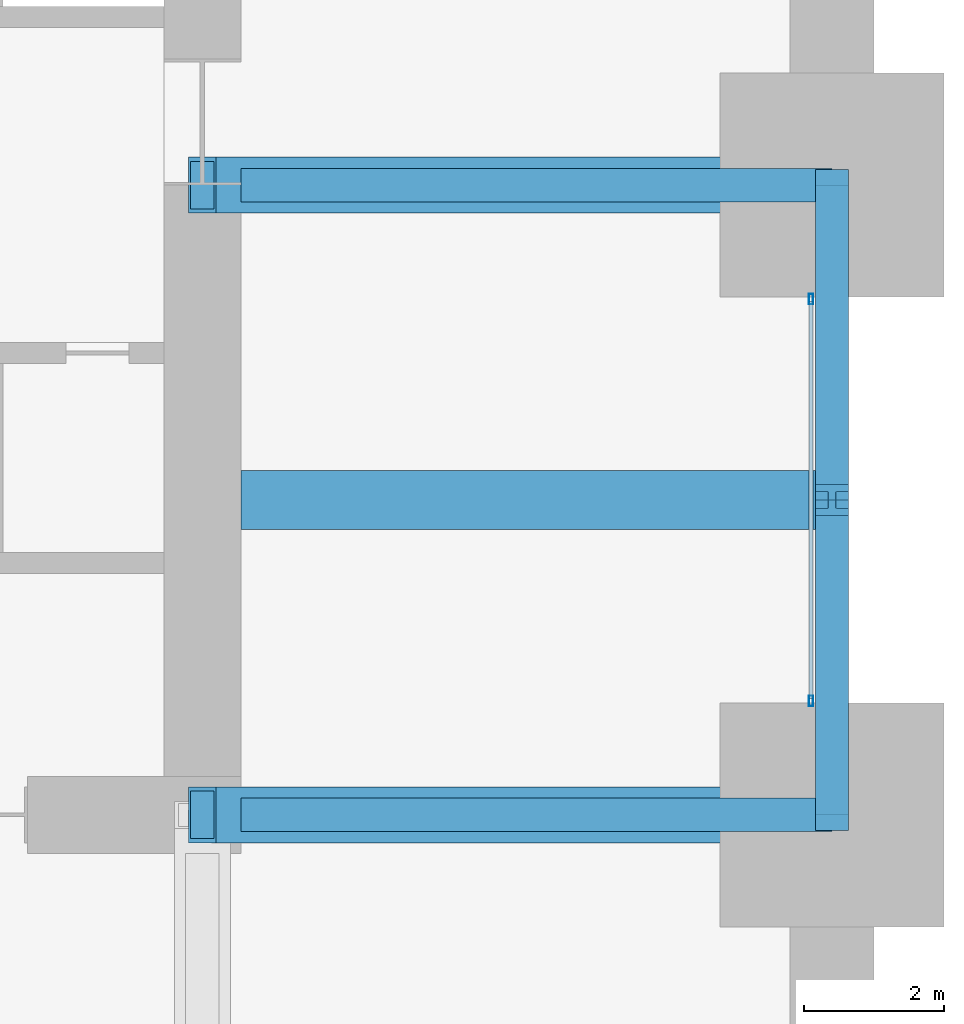
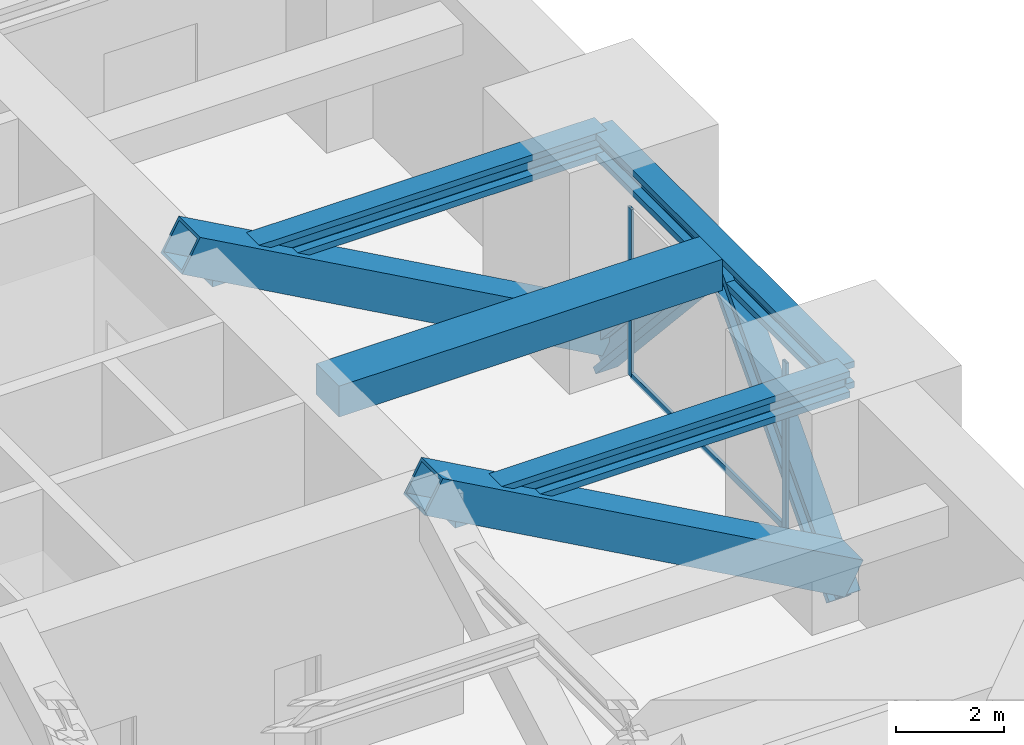
# One storey, part 14 of 32: 7 members, 4 beams, 1 element without a shape of its own.
"""IFC4 building model written with IfcOpenShell, lengths in metres."""

from ifc_helpers import new_model, si_unit, direction, frame, origin, origin_2d, place, context, subcontext, project, spatial, rectangle, hollow_rectangle, i_section, extrude, material, material_profile, profile_set, type_object, element, aggregate, save


model = new_model("IFC4")

# Units and contexts
model_context = context("Model", 3, precision=1e-05, world=origin(), true_north=direction((0.0, 1.0)))
body_context = subcontext(model_context, "Body", "Model", "MODEL_VIEW")
ifc_project = project(units=[si_unit("LENGTHUNIT", "METRE"), si_unit("AREAUNIT", "SQUARE_METRE"), si_unit("VOLUMEUNIT", "CUBIC_METRE"), si_unit("PLANEANGLEUNIT", "RADIAN"), si_unit("MASSUNIT", "GRAM", prefix="KILO")], contexts=[model_context])

# Site, building, storey
site_placement = place(None, origin())
site = spatial("IfcSite", under=ifc_project, at=site_placement, CompositionType="ELEMENT")
building_placement = place(site_placement, origin())
building = spatial("IfcBuilding", under=site, at=building_placement, Name="Zorevar Civic Tower", CompositionType="ELEMENT")
storey_placement = place(building_placement, frame((0.0, 0.0, 234.39990234375)))
storey = spatial("IfcBuildingStorey", under=building, at=storey_placement, Name="L57", CompositionType="ELEMENT", Elevation=234.39990234375)

# Beams
ifc_material_1 = material(Name="Concrete C50/60", Category="concrete")
ifc_material_profile_1 = material_profile(ifc_material_1, rectangle(XDim=0.85009765625, YDim=0.699951171875, at=origin_2d()), Name="RC 850x700")
ifc_profile_set_1 = profile_set([ifc_material_profile_1], Name="Concrete C50/60")
beam_type_1 = type_object("IfcBeamType", Name="Beam RC 850x700", PredefinedType="BEAM", material=ifc_profile_set_1)
beam_1_placement = place(storey_placement, frame((45.550048828125, 22.5, 4.25), z_axis=(1.0, 0.0, 0.0), x_axis=(0.0, 1.0, 0.0)))
element("IfcBeam", 1, at=beam_1_placement, inside=storey, type_object=beam_type_1, Name="Secondary beam L58", PredefinedType="BEAM", context=body_context, shape_type="SweptSolid", body=[
    extrude(rectangle(XDim=0.85009765625, YDim=0.699951171875, at=origin_2d()), origin(), (0.0, 0.0, 1.0), 8.2119140625),
])
ifc_material_2 = material(Name="Steel S460M (HISTAR 460)", Category="steel")
ifc_material_profile_2 = material_profile(ifc_material_2, i_section(OverallWidth=0.47607421875, OverallDepth=0.60009765625, WebThickness=0.10009765625, FlangeThickness=0.139892578125, FilletRadius=0.014892578125, at=origin_2d()), Name="HD 400x1299")
ifc_profile_set_2 = profile_set([ifc_material_profile_2], Name="Steel S460M (HISTAR 460)")
beam_type_2 = type_object("IfcBeamType", Name="Belt chord HD 400x1299", PredefinedType="BEAM", material=ifc_profile_set_2)
beam_2_placement = place(storey_placement, frame((54.0, 18.0, 4.300048828125), z_axis=(0.0, 1.0, 0.0), x_axis=(-1.0, 0.0, 0.0)))
element("IfcBeam", 2, at=beam_2_placement, inside=storey, type_object=beam_type_2, Name="Belt chord L58", PredefinedType="BEAM", context=body_context, shape_type="SweptSolid", body=[
    extrude(i_section(OverallWidth=0.47607421875, OverallDepth=0.60009765625, WebThickness=0.10009765625, FlangeThickness=0.139892578125, FilletRadius=0.014892578125, at=origin_2d()), origin(), (0.0, 0.0, 1.0), 9.0),
])

# Members
ifc_material_3 = material(Name="Steel S460M (HISTAR 460)", Category="steel")
ifc_material_profile_3 = material_profile(ifc_material_3, i_section(OverallWidth=0.47607421875, OverallDepth=0.60009765625, WebThickness=0.10009765625, FlangeThickness=0.139892578125, FilletRadius=0.014892578125, at=origin_2d()), Name="HD 400x1299")
ifc_profile_set_3 = profile_set([ifc_material_profile_3], Name="Steel S460M (HISTAR 460)")
member_type_1 = type_object("IfcMemberType", Name="Belt strut HD 400x1299", PredefinedType="BRACE", material=ifc_profile_set_3)
for number, where, z_axis, x_axis, name in (
    (3, (54.0, 18.0, -0.64990234375), (0.0, 0.672676426978, 0.739936770669), (-1.0, 0.0, 0.0), "Belt strut E L57"),
    (4, (54.0, 27.0, -0.64990234375), (0.0, -0.672676426978, 0.739936770669), (1.0, 0.0, 0.0), "Belt strut E L57"),
):
    element("IfcMember", number, at=place(storey_placement, frame(where, z_axis=z_axis, x_axis=x_axis)), inside=storey, type_object=member_type_1, Name=name, PredefinedType="BRACE", context=body_context, shape_type="SweptSolid", body=[
        extrude(i_section(OverallWidth=0.47607421875, OverallDepth=0.60009765625, WebThickness=0.10009765625, FlangeThickness=0.139892578125, FilletRadius=0.014892578125, at=origin_2d()), origin(), (0.0, 0.0, 1.0), 6.689697265625),
    ])

# Curtain wall, members
ifc_material_4 = material(Name="Black aluminium louvres", Category="aluminium")
curtain_wall_type = type_object("IfcCurtainWallType", Name="Louvred curtain wall CW6 refuge", PredefinedType="NOTDEFINED", material=ifc_material_4)
curtain_wall_placement = place(storey_placement, origin())
curtain_wall = element("IfcCurtainWall", 5, at=curtain_wall_placement, inside=storey, type_object=curtain_wall_type, Name="CW6 L57", PredefinedType="NOTDEFINED")
ifc_material_5 = material(Name="Aluminium, black anodised", Category="aluminium")
ifc_material_profile_4 = material_profile(ifc_material_5, hollow_rectangle(XDim=0.06005859375, YDim=0.14990234375, WallThickness=0.00390625, at=origin_2d()), Name="AL 150x60x4")
ifc_profile_set_4 = profile_set([ifc_material_profile_4], Name="Aluminium, black anodised")
member_type_2 = type_object("IfcMemberType", Name="CW6 mullion AL 150x60x4", PredefinedType="MULLION", material=ifc_profile_set_4)
member_1_placement = place(storey_placement, frame((53.699951171875, 19.6298828125, 0.0), z_axis=(0.0, 0.0, 1.0), x_axis=(-1.0, 0.0, 0.0)))
member_1 = element("IfcMember", 6, at=member_1_placement, type_object=member_type_2, Name="CW6 mullion 1", PredefinedType="MULLION", context=body_context, shape_type="SweptSolid", body=[
    extrude(hollow_rectangle(XDim=0.06005859375, YDim=0.14990234375, WallThickness=0.00390625, at=origin_2d()), origin(), (0.0, 0.0, 1.0), 3.800048828125),
])
member_2_placement = place(storey_placement, frame((53.699951171875, 25.3701171875, 0.0), z_axis=(0.0, 0.0, 1.0), x_axis=(-1.0, 0.0, 0.0)))
member_2 = element("IfcMember", 7, at=member_2_placement, type_object=member_type_2, Name="CW6 mullion 2", PredefinedType="MULLION", context=body_context, shape_type="SweptSolid", body=[
    extrude(hollow_rectangle(XDim=0.06005859375, YDim=0.14990234375, WallThickness=0.00390625, at=origin_2d()), origin(), (0.0, 0.0, 1.0), 3.800048828125),
])
ifc_material_6 = material(Name="Aluminium, black anodised", Category="aluminium")
ifc_material_profile_5 = material_profile(ifc_material_6, hollow_rectangle(XDim=0.06005859375, YDim=0.14990234375, WallThickness=0.00390625, at=origin_2d()), Name="AL 150x60x4")
ifc_profile_set_5 = profile_set([ifc_material_profile_5], Name="Aluminium, black anodised")
member_type_3 = type_object("IfcMemberType", Name="CW6 transom AL 150x60x4", PredefinedType="USERDEFINED", material=ifc_profile_set_5)
member_3_placement = place(storey_placement, frame((53.699951171875, 19.659912109375, 0.030029296875), z_axis=(0.0, 1.0, 0.0), x_axis=(-1.0, 0.0, 0.0)))
member_3 = element("IfcMember", 8, at=member_3_placement, type_object=member_type_3, Name="CW6 sill transom", ObjectType="TRANSOM", PredefinedType="USERDEFINED", context=body_context, shape_type="SweptSolid", body=[
    extrude(hollow_rectangle(XDim=0.06005859375, YDim=0.14990234375, WallThickness=0.00390625, at=origin_2d()), origin(), (0.0, 0.0, 1.0), 5.68017578125),
])
aggregate(curtain_wall, [member_1, member_2, member_3])

# Beams
ifc_material_7 = material(Name="Steel S460M (HISTAR 460)", Category="steel")
ifc_material_profile_6 = material_profile(ifc_material_7, i_section(OverallWidth=0.47607421875, OverallDepth=0.60009765625, WebThickness=0.10009765625, FlangeThickness=0.139892578125, FilletRadius=0.014892578125, at=origin_2d()), Name="HD 400x1299")
ifc_profile_set_6 = profile_set([ifc_material_profile_6], Name="Steel S460M (HISTAR 460)")
beam_type_3 = type_object("IfcBeamType", Name="Outrigger chord HD 400x1299", PredefinedType="BEAM", material=ifc_profile_set_6)
for number, where, z_axis, x_axis, name in (
    (9, (45.550048828125, 18.0, 4.300048828125), (1.0, 0.0, 0.0), (0.0, 1.0, 0.0), "Outrigger chord L58"),
    (10, (45.550048828125, 27.0, 4.300048828125), (1.0, 0.0, 0.0), (0.0, 1.0, 0.0), "Outrigger chord L58"),
):
    element("IfcBeam", number, at=place(storey_placement, frame(where, z_axis=z_axis, x_axis=x_axis)), inside=storey, type_object=beam_type_3, Name=name, PredefinedType="BEAM", context=body_context, shape_type="SweptSolid", body=[
        extrude(i_section(OverallWidth=0.47607421875, OverallDepth=0.60009765625, WebThickness=0.10009765625, FlangeThickness=0.139892578125, FilletRadius=0.014892578125, at=origin_2d()), origin(), (0.0, 0.0, 1.0), 8.449951171875),
    ])

# Members
ifc_material_8 = material(Name="Steel S460M (HISTAR 460)", Category="steel")
ifc_material_profile_7 = material_profile(ifc_material_8, hollow_rectangle(XDim=0.800048828125, YDim=0.800048828125, WallThickness=0.06005859375, at=origin_2d()), Name="BOX 800x800x60")
ifc_profile_set_7 = profile_set([ifc_material_profile_7], Name="Steel S460M (HISTAR 460)")
member_type_4 = type_object("IfcMemberType", Name="Outrigger diagonal BOX 800x800x60", PredefinedType="BRACE", material=ifc_profile_set_7)
for number, where, z_axis, x_axis, name in (
    (11, (45.0, 18.0, 5.0), (0.874157276122, 0.0, -0.485642931179), (0.0, 1.0, 0.0), "Outrigger diagonal E L57"),
    (12, (45.0, 27.0, 5.0), (0.874157276122, 0.0, -0.485642931179), (0.0, 1.0, 0.0), "Outrigger diagonal E L57"),
):
    element("IfcMember", number, at=place(storey_placement, frame(where, z_axis=z_axis, x_axis=x_axis)), inside=storey, type_object=member_type_4, Name=name, PredefinedType="BRACE", context=body_context, shape_type="SweptSolid", body=[
        extrude(hollow_rectangle(XDim=0.800048828125, YDim=0.800048828125, WallThickness=0.06005859375, at=origin_2d()), origin(), (0.0, 0.0, 1.0), 10.295654296875),
    ])

save(model, "model.ifc")
